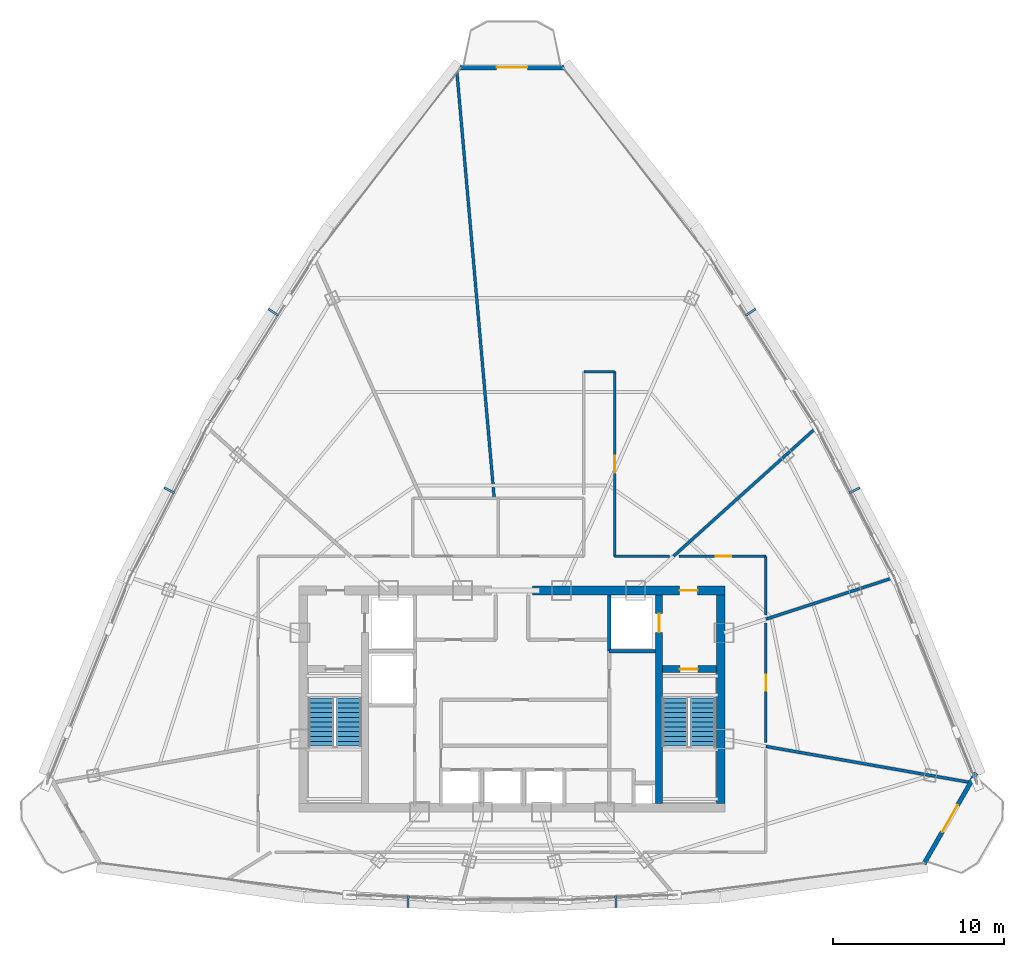
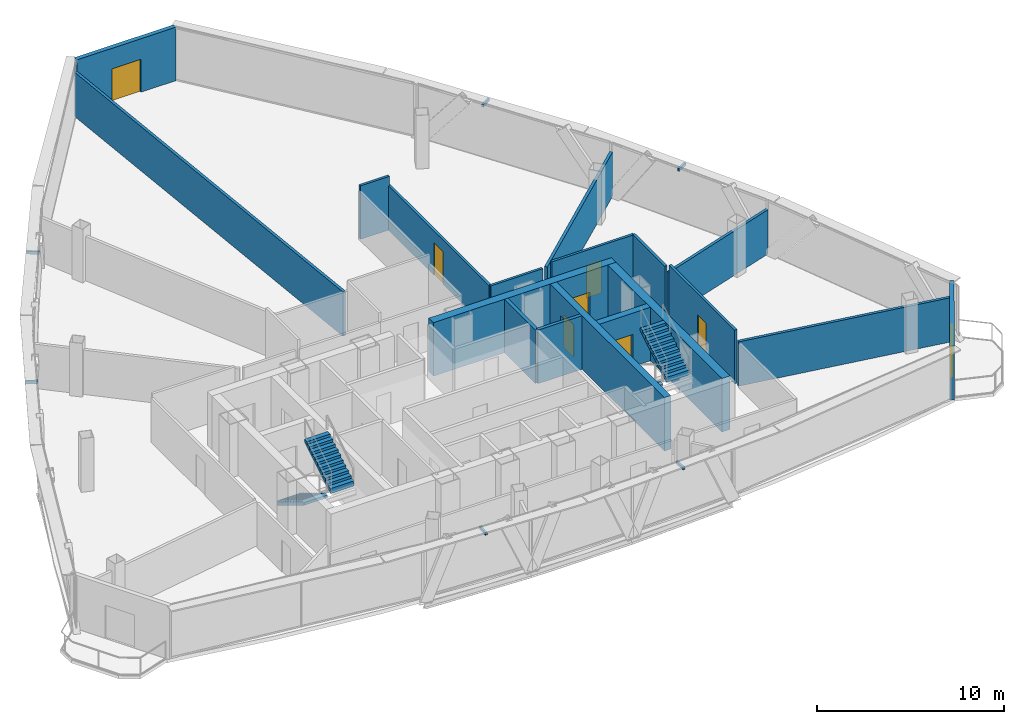
# One storey, part 27 of 30: 18 walls, 8 doors, 6 discrete accessories, 4 stair flights, 8 openings, 2 elements without a shape of their own.
"""IFC4 building model written with IfcOpenShell, lengths in metres."""

from ifc_helpers import new_model, si_unit, direction, frame, frame_2d, origin, origin_with_axes, origin_2d, place, context, subcontext, project, spatial, polyline, rectangle, outline, extrude, source, transform, mapped, material, layer, layer_set, type_object, element, fill, aggregate, save


model = new_model("IFC4")

# Units and contexts
model_context = context("Model", 3, precision=1e-05, world=origin(), true_north=direction((0.0, 1.0)))
body_context = subcontext(model_context, "Body", "Model", "MODEL_VIEW")
ifc_project = project(units=[si_unit("LENGTHUNIT", "METRE"), si_unit("AREAUNIT", "SQUARE_METRE"), si_unit("VOLUMEUNIT", "CUBIC_METRE"), si_unit("PLANEANGLEUNIT", "RADIAN"), si_unit("MASSUNIT", "GRAM", prefix="KILO"), si_unit("THERMODYNAMICTEMPERATUREUNIT", "KELVIN"), si_unit("POWERUNIT", "WATT")], contexts=[model_context])

# Site, building, storey
site_placement = place(None, origin())
site = spatial("IfcSite", under=ifc_project, at=site_placement, CompositionType="ELEMENT")
building_placement = place(site_placement, origin())
building = spatial("IfcBuilding", under=site, at=building_placement, Name="Yunzhuo Pagoda Commons", CompositionType="ELEMENT")
storey_placement = place(building_placement, frame((0.0, 0.0, 351.760009765625)))
storey = spatial("IfcBuildingStorey", under=building, at=storey_placement, Name="L88", CompositionType="ELEMENT", Elevation=351.760009765625)

# Wall, opening, door
ifc_material_1 = material(Name="Precast concrete C40", Category="concrete")
ifc_layer_1 = layer(ifc_material_1, 0.260009765625)
ifc_layer_set_1 = layer_set([ifc_layer_1], Name="Precast concrete C40")
wall_type_1 = type_object("IfcWallType", Name="W-BAL1 Corner Balcony Threshold Wall 260", PredefinedType="STANDARD", material=ifc_layer_set_1)
wall_1_placement = place(storey_placement, frame((72.085693359375, 24.211669921875, 0.0), z_axis=(0.0, 0.0, 1.0), x_axis=(0.49795859982, 0.867200803082, 0.0)))
wall_1 = element("IfcWall", 1, at=wall_1_placement, inside=storey, type_object=wall_type_1, Name="L88 corner balcony wall V2", PredefinedType="STANDARD", context=body_context, shape_type="SweptSolid", body=[
    extrude(rectangle(XDim=6.12255859375, YDim=0.260009765625, at=frame_2d((3.061279296875, 0.0))), origin(), (0.0, 0.0, 1.0), 3.489990234375),
])
opening_1_placement = place(wall_1_placement, frame((2.161376953125, 0.0, 0.0)))
opening_1 = element("IfcOpeningElement", 2, at=opening_1_placement, cuts=wall_1, Name="Opening D-BAL1", PredefinedType="OPENING", context=body_context, shape_type="SweptSolid", body=[
    extrude(rectangle(XDim=1.800048828125, YDim=2.14990234375, at=frame_2d((0.89990234375, 1.074951171875))), frame((0.0, 0.14013671875, 0.0), z_axis=(0.0, -1.0, 0.0), x_axis=(1.0, 0.0, 0.0)), (0.0, 0.0, 1.0), 0.280029296875),
])
ifc_material_2 = material(Name="Anodized aluminium frame and tempered glazed leaf", Category="aluminium")
door_type_1 = type_object("IfcDoorType", Name="D-BAL1 Corner Balcony Sliding Glazed Door 1800x2150", OperationType="DOUBLE_DOOR_SLIDING", PredefinedType="DOOR", material=ifc_material_2)
shared_shape_1 = source(origin(), body_context, "Body", "SweptSolid", [
    extrude(rectangle(XDim=1.800048828125, YDim=2.14990234375, at=frame_2d((0.89990234375, 1.074951171875))), frame((0.0, 0.02490234375, 0.0), z_axis=(0.0, -1.0, 0.0), x_axis=(1.0, 0.0, 0.0)), (0.0, 0.0, 1.0), 0.050048828125),
])
door_1_placement = place(opening_1_placement, origin_with_axes())
door_1 = element("IfcDoor", 3, at=door_1_placement, inside=storey, type_object=door_type_1, Name="L88 corner balcony sliding door V2", OperationType="DOUBLE_DOOR_SLIDING", OverallHeight=2.14990234375, OverallWidth=1.800048828125, PredefinedType="DOOR", context=body_context, shape_type="MappedRepresentation", body=[
    mapped(shared_shape_1, transform((0.0, 0.0, 0.0), scale=1.0)),
])
fill(opening_1, door_1)

wall_2_placement = place(storey_placement, frame((51.04931640625, 70.779052734375, 0.0), z_axis=(0.0, 0.0, 1.0), x_axis=(-1.0, 0.0, 0.0)))
wall_2 = element("IfcWall", 4, at=wall_2_placement, inside=storey, type_object=wall_type_1, Name="L88 corner balcony wall V3", PredefinedType="STANDARD", context=body_context, shape_type="SweptSolid", body=[
    extrude(rectangle(XDim=6.0986328125, YDim=0.260009765625, at=frame_2d((3.04931640625, 0.0))), origin(), (0.0, 0.0, 1.0), 3.489990234375),
])
opening_2_placement = place(wall_2_placement, frame((2.149169921875, 0.0, 0.0)))
opening_2 = element("IfcOpeningElement", 5, at=opening_2_placement, cuts=wall_2, Name="Opening D-BAL1", PredefinedType="OPENING", context=body_context, shape_type="SweptSolid", body=[
    extrude(rectangle(XDim=1.800048828125, YDim=2.14990234375, at=frame_2d((0.89990234375, 1.074951171875))), frame((0.0, 0.14013671875, 0.0), z_axis=(0.0, -1.0, 0.0), x_axis=(1.0, 0.0, 0.0)), (0.0, 0.0, 1.0), 0.280029296875),
])
door_2_placement = place(opening_2_placement, origin_with_axes())
door_2 = element("IfcDoor", 6, at=door_2_placement, inside=storey, type_object=door_type_1, Name="L88 corner balcony sliding door V3", OperationType="DOUBLE_DOOR_SLIDING", OverallHeight=2.14990234375, OverallWidth=1.800048828125, PredefinedType="DOOR", context=body_context, shape_type="MappedRepresentation", body=[
    mapped(shared_shape_1, transform((0.0, 0.0, 0.0), scale=1.0)),
])
fill(opening_2, door_2)

ifc_material_3 = material(Name="Concrete C50", Category="concrete")
ifc_layer_2 = layer(ifc_material_3, 0.5)
ifc_layer_set_2 = layer_set([ifc_layer_2], Name="Concrete C50")
wall_type_2 = type_object("IfcWallType", Name="W-C03 Upper Core Shear Wall 500", PredefinedType="SHEAR", material=ifc_layer_set_2)
wall_3_placement = place(storey_placement, frame((49.199951171875, 40.199951171875, 0.0), z_axis=(0.0, 0.0, 1.0), x_axis=(1.0, 0.0, 0.0)))
wall_3 = element("IfcWall", 7, at=wall_3_placement, inside=storey, type_object=wall_type_2, Name="L88 core shear wall NE", PredefinedType="SHEAR", context=body_context, shape_type="SweptSolid", body=[
    extrude(rectangle(XDim=11.25, YDim=0.5, at=frame_2d((5.625, 0.0))), origin(), (0.0, 0.0, 1.0), 3.489990234375),
])
opening_3_placement = place(wall_3_placement, frame((8.60009765625, 0.0, 0.0)))
opening_3 = element("IfcOpeningElement", 8, at=opening_3_placement, cuts=wall_3, Name="Opening D-02", PredefinedType="OPENING", context=body_context, shape_type="SweptSolid", body=[
    extrude(rectangle(XDim=1.050048828125, YDim=2.10009765625, at=frame_2d((0.52490234375, 1.050048828125))), frame((0.0, 0.260009765625, 0.0), z_axis=(0.0, -1.0, 0.0), x_axis=(1.0, 0.0, 0.0)), (0.0, 0.0, 1.0), 0.52001953125),
])
ifc_material_4 = material(Name="Galvanized fire-resisting metal leaf")
door_type_2 = type_object("IfcDoorType", Name="D-02 Firefighting Lobby & Refuge Fire Door 1050x2100", OperationType="NOTDEFINED", PredefinedType="DOOR", material=ifc_material_4)
shared_shape_2 = source(origin(), body_context, "Body", "SweptSolid", [
    extrude(rectangle(XDim=1.050048828125, YDim=2.10009765625, at=frame_2d((0.52490234375, 1.050048828125))), frame((0.0, 0.02490234375, 0.0), z_axis=(0.0, -1.0, 0.0), x_axis=(1.0, 0.0, 0.0)), (0.0, 0.0, 1.0), 0.050048828125),
])
door_3_placement = place(opening_3_placement, frame((1.050048828125, 0.0, 0.0), z_axis=(0.0, 0.0, 1.0), x_axis=(-1.0, 0.0, 0.0)))
door_3 = element("IfcDoor", 9, at=door_3_placement, inside=storey, type_object=door_type_2, Name="L88 Firefighting Lobby 2 fire door", OperationType="SINGLE_SWING_RIGHT", OverallHeight=2.10009765625, OverallWidth=1.050048828125, PredefinedType="DOOR", context=body_context, shape_type="MappedRepresentation", body=[
    mapped(shared_shape_2, transform((0.0, 0.0, 0.0), scale=1.0)),
])
fill(opening_3, door_3)

# Walls
wall_4_placement = place(storey_placement, frame((60.199951171875, 27.75, 0.0), z_axis=(0.0, 0.0, 1.0), x_axis=(0.0, 1.0, 0.0)))
element("IfcWall", 10, at=wall_4_placement, inside=storey, type_object=wall_type_2, Name="L88 core shear wall E", PredefinedType="SHEAR", context=body_context, shape_type="SweptSolid", body=[
    extrude(rectangle(XDim=12.199951171875, YDim=0.5, at=frame_2d((6.10009765625, 0.0))), origin(), (0.0, 0.0, 1.0), 3.489990234375),
])
ifc_material_5 = material(Name="Gypsum plasterboard on acoustic stud")
ifc_layer_3 = layer(ifc_material_5, 0.14990234375)
ifc_layer_set_3 = layer_set([ifc_layer_3], Name="Gypsum plasterboard on acoustic stud")
wall_type_3 = type_object("IfcWallType", Name="W-COR3 High-Zone Rated Corridor Wall 150", PredefinedType="PARTITIONING", material=ifc_layer_set_3)
wall_5_placement = place(storey_placement, frame((52.199951171875, 53.0, 0.0), z_axis=(0.0, 0.0, 1.0), x_axis=(1.0, 0.0, 0.0)))
element("IfcWall", 11, at=wall_5_placement, inside=storey, type_object=wall_type_3, Name="L88 interior wall IW-L88-CWL06", PredefinedType="PARTITIONING", context=body_context, shape_type="SweptSolid", body=[
    extrude(rectangle(XDim=1.800048828125, YDim=0.14990234375, at=frame_2d((0.89990234375, 0.0))), origin(), (0.0, 0.0, 1.0), 3.489990234375),
])

# Wall, opening, door
wall_6_placement = place(storey_placement, frame((54.0, 53.0, 0.0), z_axis=(0.0, 0.0, 1.0), x_axis=(0.0, -1.0, 0.0)))
wall_6 = element("IfcWall", 12, at=wall_6_placement, inside=storey, type_object=wall_type_3, Name="L88 interior wall IW-L88-CWL07", PredefinedType="PARTITIONING", context=body_context, shape_type="SweptSolid", body=[
    extrude(rectangle(XDim=10.800048828125, YDim=0.14990234375, at=frame_2d((5.39990234375, 0.0))), origin(), (0.0, 0.0, 1.0), 2.889892578125),
])
opening_4_placement = place(wall_6_placement, frame((4.925048828125, 0.0, 0.0)))
opening_4 = element("IfcOpeningElement", 13, at=opening_4_placement, cuts=wall_6, Name="Opening D-08", PredefinedType="OPENING", context=body_context, shape_type="SweptSolid", body=[
    extrude(rectangle(XDim=0.97998046875, YDim=2.1201171875, at=frame_2d((0.489990234375, 1.06005859375))), frame((0.0, 0.0849609375, 0.0), z_axis=(0.0, -1.0, 0.0), x_axis=(1.0, 0.0, 0.0)), (0.0, 0.0, 1.0), 0.169921875),
])
door_type_3 = type_object("IfcDoorType", Name="D-08 High-Zone Suite Entrance Fire Door 980x2120", OperationType="NOTDEFINED", PredefinedType="DOOR", material=ifc_material_4)
shared_shape_3 = source(origin(), body_context, "Body", "SweptSolid", [
    extrude(rectangle(XDim=0.97998046875, YDim=2.1201171875, at=frame_2d((0.489990234375, 1.06005859375))), frame((0.0, 0.02490234375, 0.0), z_axis=(0.0, -1.0, 0.0), x_axis=(1.0, 0.0, 0.0)), (0.0, 0.0, 1.0), 0.050048828125),
])
door_4_placement = place(opening_4_placement, origin_with_axes())
door_4 = element("IfcDoor", 14, at=door_4_placement, inside=storey, type_object=door_type_3, Name="L88 Shared Resident Kitchen and Pantry door", OperationType="SINGLE_SWING_LEFT", OverallHeight=2.1201171875, OverallWidth=0.97998046875, PredefinedType="DOOR", context=body_context, shape_type="MappedRepresentation", body=[
    mapped(shared_shape_3, transform((0.0, 0.0, 0.0), scale=1.0)),
])
fill(opening_4, door_4)

# Wall
wall_7_placement = place(storey_placement, frame((54.0, 42.199951171875, 0.0), z_axis=(0.0, 0.0, 1.0), x_axis=(1.0, 0.0, 0.0)))
element("IfcWall", 15, at=wall_7_placement, inside=storey, type_object=wall_type_3, Name="L88 interior wall IW-L88-CWL08", PredefinedType="PARTITIONING", context=body_context, shape_type="SweptSolid", body=[
    extrude(rectangle(XDim=3.220458984375, YDim=0.14990234375, at=frame_2d((1.6103515625, 0.0))), origin(), (0.0, 0.0, 1.0), 2.889892578125),
])

# Wall, opening, door
wall_8_placement = place(storey_placement, frame((57.76904296875, 42.199951171875, 0.0), z_axis=(0.0, 0.0, 1.0), x_axis=(1.0, 0.0, 0.0)))
wall_8 = element("IfcWall", 16, at=wall_8_placement, inside=storey, type_object=wall_type_3, Name="L88 interior wall IW-L88-CWL09", PredefinedType="PARTITIONING", context=body_context, shape_type="SweptSolid", body=[
    extrude(rectangle(XDim=5.0810546875, YDim=0.14990234375, at=frame_2d((2.54052734375, 0.0))), origin(), (0.0, 0.0, 1.0), 3.139892578125),
])
opening_5_placement = place(wall_8_placement, frame((2.14599609375, 0.0, 0.0)))
opening_5 = element("IfcOpeningElement", 17, at=opening_5_placement, cuts=wall_8, Name="Opening D-04", PredefinedType="OPENING", context=body_context, shape_type="SweptSolid", body=[
    extrude(rectangle(XDim=0.919921875, YDim=2.10009765625, at=frame_2d((0.4599609375, 1.050048828125))), frame((0.0, 0.0849609375, 0.0), z_axis=(0.0, -1.0, 0.0), x_axis=(1.0, 0.0, 0.0)), (0.0, 0.0, 1.0), 0.169921875),
])
ifc_material_6 = material(Name="Powder-coated aluminium and timber acoustic leaf", Category="wood")
door_type_4 = type_object("IfcDoorType", Name="D-04 Bedroom & Study Interior Door 920x2100", OperationType="NOTDEFINED", PredefinedType="DOOR", material=ifc_material_6)
shared_shape_4 = source(origin(), body_context, "Body", "SweptSolid", [
    extrude(rectangle(XDim=0.919921875, YDim=2.10009765625, at=frame_2d((0.4599609375, 1.050048828125))), frame((0.0, 0.02490234375, 0.0), z_axis=(0.0, -1.0, 0.0), x_axis=(1.0, 0.0, 0.0)), (0.0, 0.0, 1.0), 0.050048828125),
])
door_5_placement = place(opening_5_placement, origin_with_axes())
door_5 = element("IfcDoor", 18, at=door_5_placement, inside=storey, type_object=door_type_4, Name="L88 seminar room 02 door", OperationType="SINGLE_SWING_RIGHT", OverallHeight=2.10009765625, OverallWidth=0.919921875, PredefinedType="DOOR", context=body_context, shape_type="MappedRepresentation", body=[
    mapped(shared_shape_4, transform((0.0, 0.0, 0.0), scale=1.0)),
])
fill(opening_5, door_5)

# Wall
wall_9_placement = place(storey_placement, frame((62.85009765625, 42.199951171875, 0.0), z_axis=(0.0, 0.0, 1.0), x_axis=(0.0, -1.0, 0.0)))
element("IfcWall", 19, at=wall_9_placement, inside=storey, type_object=wall_type_3, Name="L88 interior wall IW-L88-CWL10", PredefinedType="PARTITIONING", context=body_context, shape_type="SweptSolid", body=[
    extrude(rectangle(XDim=3.443603515625, YDim=0.14990234375, at=frame_2d((1.7216796875, 0.0))), origin(), (0.0, 0.0, 1.0), 3.139892578125),
])

# Wall, opening, door
wall_10_placement = place(storey_placement, frame((62.85009765625, 38.305419921875, 0.0), z_axis=(0.0, 0.0, 1.0), x_axis=(0.0, -1.0, 0.0)))
wall_10 = element("IfcWall", 20, at=wall_10_placement, inside=storey, type_object=wall_type_3, Name="L88 interior wall IW-L88-CWL11", PredefinedType="PARTITIONING", context=body_context, shape_type="SweptSolid", body=[
    extrude(rectangle(XDim=7.004150390625, YDim=0.14990234375, at=frame_2d((3.501953125, 0.0))), origin(), (0.0, 0.0, 1.0), 3.489990234375),
])
opening_6_placement = place(wall_10_placement, frame((3.0419921875, 0.0, 0.0)))
opening_6 = element("IfcOpeningElement", 21, at=opening_6_placement, cuts=wall_10, Name="Opening D-04", PredefinedType="OPENING", context=body_context, shape_type="SweptSolid", body=[
    extrude(rectangle(XDim=0.919921875, YDim=2.10009765625, at=frame_2d((0.4599609375, 1.050048828125))), frame((0.0, 0.0849609375, 0.0), z_axis=(0.0, -1.0, 0.0), x_axis=(1.0, 0.0, 0.0)), (0.0, 0.0, 1.0), 0.169921875),
])
door_6_placement = place(opening_6_placement, origin_with_axes())
door_6 = element("IfcDoor", 22, at=door_6_placement, inside=storey, type_object=door_type_4, Name="L88 seminar room 01 door", OperationType="SINGLE_SWING_LEFT", OverallHeight=2.10009765625, OverallWidth=0.919921875, PredefinedType="DOOR", context=body_context, shape_type="MappedRepresentation", body=[
    mapped(shared_shape_4, transform((0.0, 0.0, 0.0), scale=1.0)),
])
fill(opening_6, door_6)

# Walls
ifc_layer_4 = layer(ifc_material_5, 0.169921875)
ifc_layer_set_4 = layer_set([ifc_layer_4], Name="Gypsum plasterboard on acoustic stud")
wall_type_4 = type_object("IfcWallType", Name="W-PRT4 High-Zone Demising Wall 170", PredefinedType="PARTITIONING", material=ifc_layer_set_4)
wall_11_placement = place(storey_placement, frame((62.85009765625, 38.525146484375, 0.0), z_axis=(0.0, 0.0, 1.0), x_axis=(0.951060216318, 0.309005606642, 0.0)))
element("IfcWall", 23, at=wall_11_placement, inside=storey, type_object=wall_type_4, Name="L88 interior wall IW-L88-RAD01", PredefinedType="PARTITIONING", context=body_context, shape_type="SweptSolid", body=[
    extrude(rectangle(XDim=7.889892578125, YDim=0.169921875, at=frame_2d((3.94482421875, 0.0))), origin(), (0.0, 0.0, 1.0), 2.889892578125),
])
wall_12_placement = place(storey_placement, frame((57.440185546875, 42.199951171875, 0.0), z_axis=(0.0, 0.0, 1.0), x_axis=(0.74314133574, 0.669134482085, 0.0)))
element("IfcWall", 24, at=wall_12_placement, inside=storey, type_object=wall_type_4, Name="L88 interior wall IW-L88-RAD02", PredefinedType="PARTITIONING", context=body_context, shape_type="SweptSolid", body=[
    extrude(rectangle(XDim=11.2822265625, YDim=0.169921875, at=frame_2d((5.64111328125, 0.0))), origin(), (0.0, 0.0, 1.0), 2.889892578125),
])
wall_13_placement = place(storey_placement, frame((46.958984375, 45.60009765625, 0.0), z_axis=(0.0, 0.0, 1.0), x_axis=(-0.087155434332, 0.996194725075, 0.0)))
element("IfcWall", 25, at=wall_13_placement, inside=storey, type_object=wall_type_4, Name="L88 interior wall IW-L88-RAD03", PredefinedType="PARTITIONING", context=body_context, shape_type="SweptSolid", body=[
    extrude(rectangle(XDim=24.98388671875, YDim=0.169921875, at=frame_2d((12.491943359375, 0.0))), origin(), (0.0, 0.0, 1.0), 2.889892578125),
])
wall_14_placement = place(storey_placement, frame((62.85009765625, 31.08154296875, 0.0), z_axis=(0.0, 0.0, 1.0), x_axis=(0.984808019511, -0.173646666272, 0.0)))
element("IfcWall", 26, at=wall_14_placement, inside=storey, type_object=wall_type_4, Name="L88 interior wall IW-L88-RAD10", PredefinedType="PARTITIONING", context=body_context, shape_type="SweptSolid", body=[
    extrude(rectangle(XDim=12.153076171875, YDim=0.169921875, at=frame_2d((6.07666015625, 0.0))), origin(), (0.0, 0.0, 1.0), 2.889892578125),
])

# Wall, opening, door
ifc_material_7 = material(Name="Concrete C60", Category="concrete")
ifc_layer_5 = layer(ifc_material_7, 0.39990234375)
ifc_layer_set_5 = layer_set([ifc_layer_5], Name="Concrete C60")
wall_type_5 = type_object("IfcWallType", Name="W-S01 Internal Core Shear Web 400", PredefinedType="SHEAR", material=ifc_layer_set_5)
wall_15_placement = place(storey_placement, frame((56.60009765625, 27.75, 0.0), z_axis=(0.0, 0.0, 1.0), x_axis=(0.0, 1.0, 0.0)))
wall_15 = element("IfcWall", 27, at=wall_15_placement, inside=storey, type_object=wall_type_5, Name="L88 core shear wall WEBE", PredefinedType="SHEAR", context=body_context, shape_type="SweptSolid", body=[
    extrude(rectangle(XDim=12.199951171875, YDim=0.39990234375, at=frame_2d((6.10009765625, 0.0))), origin(), (0.0, 0.0, 1.0), 3.489990234375),
])
opening_7_placement = place(wall_15_placement, frame((10.0, 0.0, 0.0)))
opening_7 = element("IfcOpeningElement", 28, at=opening_7_placement, cuts=wall_15, Name="Opening LD-01", PredefinedType="OPENING", context=body_context, shape_type="SweptSolid", body=[
    extrude(rectangle(XDim=1.10009765625, YDim=2.10009765625, at=frame_2d((0.550048828125, 1.050048828125))), frame((0.0, 0.2099609375, 0.0), z_axis=(0.0, -1.0, 0.0), x_axis=(1.0, 0.0, 0.0)), (0.0, 0.0, 1.0), 0.419921875),
])
door_type_5 = type_object("IfcDoorType", Name="LD-01 Firefighting Lift Landing Door 1100x2100", OperationType="DOUBLE_DOOR_SLIDING", PredefinedType="DOOR", material=ifc_material_4)
shared_shape_5 = source(origin(), body_context, "Body", "SweptSolid", [
    extrude(rectangle(XDim=1.10009765625, YDim=2.10009765625, at=frame_2d((0.550048828125, 1.050048828125))), frame((0.0, 0.02490234375, 0.0), z_axis=(0.0, -1.0, 0.0), x_axis=(1.0, 0.0, 0.0)), (0.0, 0.0, 1.0), 0.050048828125),
])
door_7_placement = place(opening_7_placement, origin_with_axes())
door_7 = element("IfcDoor", 29, at=door_7_placement, inside=storey, type_object=door_type_5, Name="L88 Firefighting lift FL-2 landing door", OperationType="DOUBLE_DOOR_SLIDING", OverallHeight=2.10009765625, OverallWidth=1.10009765625, PredefinedType="DOOR", context=body_context, shape_type="MappedRepresentation", body=[
    mapped(shared_shape_5, transform((0.0, 0.0, 0.0), scale=1.0)),
])
fill(opening_7, door_7)

wall_16_placement = place(storey_placement, frame((56.800048828125, 35.60009765625, 0.0), z_axis=(0.0, 0.0, 1.0), x_axis=(1.0, 0.0, 0.0)))
wall_16 = element("IfcWall", 30, at=wall_16_placement, inside=storey, type_object=wall_type_5, Name="L88 core shear wall STE", PredefinedType="SHEAR", context=body_context, shape_type="SweptSolid", body=[
    extrude(rectangle(XDim=3.14990234375, YDim=0.39990234375, at=frame_2d((1.574951171875, 0.0))), origin(), (0.0, 0.0, 1.0), 3.489990234375),
])
opening_8_placement = place(wall_16_placement, frame((1.02001953125, 0.0, 0.0)))
opening_8 = element("IfcOpeningElement", 31, at=opening_8_placement, cuts=wall_16, Name="Opening D-01", PredefinedType="OPENING", context=body_context, shape_type="SweptSolid", body=[
    extrude(rectangle(XDim=1.050048828125, YDim=2.10009765625, at=frame_2d((0.52490234375, 1.050048828125))), frame((0.0, 0.2099609375, 0.0), z_axis=(0.0, -1.0, 0.0), x_axis=(1.0, 0.0, 0.0)), (0.0, 0.0, 1.0), 0.419921875),
])
door_type_6 = type_object("IfcDoorType", Name="D-01 Smokeproof Stair Fire Door 1050x2100", OperationType="NOTDEFINED", PredefinedType="DOOR", material=ifc_material_4)
door_8_placement = place(opening_8_placement, frame((1.050048828125, 0.0, 0.0), z_axis=(0.0, 0.0, 1.0), x_axis=(-1.0, 0.0, 0.0)))
door_8 = element("IfcDoor", 32, at=door_8_placement, inside=storey, type_object=door_type_6, Name="L88 Stair ST2 fire door", OperationType="SINGLE_SWING_RIGHT", OverallHeight=2.10009765625, OverallWidth=1.050048828125, PredefinedType="DOOR", context=body_context, shape_type="MappedRepresentation", body=[
    mapped(shared_shape_2, transform((0.0, 0.0, 0.0), scale=1.0)),
])
fill(opening_8, door_8)

# Walls
ifc_material_8 = material(Name="Concrete C40", Category="concrete")
ifc_layer_6 = layer(ifc_material_8, 0.199951171875)
ifc_layer_set_6 = layer_set([ifc_layer_6], Name="Concrete C40")
wall_type_6 = type_object("IfcWallType", Name="W-SHF Shaft & Stair Enclosure Wall 200", PredefinedType="SOLIDWALL", material=ifc_layer_set_6)
wall_17_placement = place(storey_placement, frame((53.679931640625, 36.64990234375, 0.0), z_axis=(0.0, 0.0, 1.0), x_axis=(0.0, 1.0, 0.0)))
element("IfcWall", 33, at=wall_17_placement, inside=storey, type_object=wall_type_6, Name="L88 interior wall IW-L88-FL2W", PredefinedType="SOLIDWALL", context=body_context, shape_type="SweptSolid", body=[
    extrude(rectangle(XDim=3.300048828125, YDim=0.199951171875, at=frame_2d((1.64990234375, 0.0))), origin(), (0.0, 0.0, 1.0), 3.489990234375),
])
wall_18_placement = place(storey_placement, frame((53.679931640625, 36.64990234375, 0.0), z_axis=(0.0, 0.0, 1.0), x_axis=(1.0, 0.0, 0.0)))
element("IfcWall", 34, at=wall_18_placement, inside=storey, type_object=wall_type_6, Name="L88 interior wall IW-L88-FL2S", PredefinedType="SOLIDWALL", context=body_context, shape_type="SweptSolid", body=[
    extrude(rectangle(XDim=2.719970703125, YDim=0.199951171875, at=frame_2d((1.35986328125, 0.0))), origin(), (0.0, 0.0, 1.0), 3.489990234375),
])

# Stair, stair flights
stair_type_1 = type_object("IfcStairType", Name="ST-C1 Core Smokeproof Stair ST1", PredefinedType="HALF_TURN_STAIR", material=ifc_material_8)
stair_1_placement = place(storey_placement, origin())
stair_1 = element("IfcStair", 35, at=stair_1_placement, inside=storey, type_object=stair_type_1, Name="L88 Core smokeproof stair ST1", PredefinedType="HALF_TURN_STAIR")
stair_flight_type_1 = type_object("IfcStairFlightType", Name="STF-C1 Core Stair Flight 1450", PredefinedType="STRAIGHT", material=ifc_material_8)
shared_shape_6 = source(origin(), body_context, "Body", "SweptSolid", [
    extrude(outline(polyline([(0.0, -0.14990234375), (0.0, 0.0), (0.0, 0.17041015625), (0.280029296875, 0.17041015625), (0.280029296875, 0.3408203125), (0.56005859375, 0.3408203125), (0.56005859375, 0.511474609375), (0.840087890625, 0.511474609375), (0.840087890625, 0.681884765625), (1.1201171875, 0.681884765625), (1.1201171875, 0.852294921875), (1.39990234375, 0.852294921875), (1.39990234375, 1.022705078125), (1.679931640625, 1.022705078125), (1.679931640625, 1.193115234375), (1.9599609375, 1.193115234375), (1.9599609375, 1.363525390625), (2.239990234375, 1.363525390625), (2.239990234375, 1.5341796875), (2.52001953125, 1.5341796875), (2.52001953125, 1.70458984375), (2.800048828125, 1.70458984375), (2.800048828125, 1.875), (2.800048828125, 1.529052734375), (0.288330078125, 0.0), (0.050048828125, -0.14990234375), (0.0, -0.14990234375)])), frame((0.0, 0.72509765625, 0.0), z_axis=(0.0, -1.0, 0.0), x_axis=(1.0, 0.0, 0.0)), (0.0, 0.0, 1.0), 1.449951171875),
])
stair_flight_1_placement = place(storey_placement, frame((36.824951171875, 33.89990234375, 0.0), z_axis=(0.0, 0.0, 1.0), x_axis=(0.0, -1.0, 0.0)))
stair_flight_1 = element("IfcStairFlight", 36, at=stair_flight_1_placement, type_object=stair_flight_type_1, Name="ST1 flight 1", NumberOfRisers=11, NumberOfTreads=10, PredefinedType="STRAIGHT", RiserHeight=0.170454545, TreadLength=0.28, context=body_context, shape_type="MappedRepresentation", body=[
    mapped(shared_shape_6, transform((0.0, 0.0, 0.0), scale=1.0)),
])
stair_flight_2_placement = place(storey_placement, frame((38.47509765625, 31.10009765625, 1.875), z_axis=(0.0, 0.0, 1.0), x_axis=(0.0, 1.0, 0.0)))
stair_flight_2 = element("IfcStairFlight", 37, at=stair_flight_2_placement, type_object=stair_flight_type_1, Name="ST1 flight 2", NumberOfRisers=11, NumberOfTreads=10, PredefinedType="STRAIGHT", RiserHeight=0.170454545, TreadLength=0.28, context=body_context, shape_type="MappedRepresentation", body=[
    mapped(shared_shape_6, transform((0.0, 0.0, 0.0), scale=1.0)),
])
aggregate(stair_1, [stair_flight_1, stair_flight_2])

stair_type_2 = type_object("IfcStairType", Name="ST-C2 Core Smokeproof Stair ST2", PredefinedType="HALF_TURN_STAIR", material=ifc_material_8)
stair_2_placement = place(storey_placement, origin())
stair_2 = element("IfcStair", 38, at=stair_2_placement, inside=storey, type_object=stair_type_2, Name="L88 Core smokeproof stair ST2", PredefinedType="HALF_TURN_STAIR")
stair_flight_type_2 = type_object("IfcStairFlightType", Name="STF-C2 Core Stair Flight 1460", PredefinedType="STRAIGHT", material=ifc_material_8)
stair_flight_3_placement = place(storey_placement, frame((57.52490234375, 33.89990234375, 0.0), z_axis=(0.0, 0.0, 1.0), x_axis=(0.0, -1.0, 0.0)))
stair_flight_3 = element("IfcStairFlight", 39, at=stair_flight_3_placement, type_object=stair_flight_type_2, Name="ST2 flight 1", NumberOfRisers=11, NumberOfTreads=10, PredefinedType="STRAIGHT", RiserHeight=0.170454545, TreadLength=0.28, context=body_context, shape_type="MappedRepresentation", body=[
    mapped(shared_shape_6, transform((0.0, 0.0, 0.0), scale=1.0)),
])
stair_flight_4_placement = place(storey_placement, frame((59.175048828125, 31.10009765625, 1.875), z_axis=(0.0, 0.0, 1.0), x_axis=(0.0, 1.0, 0.0)))
stair_flight_4 = element("IfcStairFlight", 40, at=stair_flight_4_placement, type_object=stair_flight_type_2, Name="ST2 flight 2", NumberOfRisers=11, NumberOfTreads=10, PredefinedType="STRAIGHT", RiserHeight=0.170454545, TreadLength=0.28, context=body_context, shape_type="MappedRepresentation", body=[
    mapped(shared_shape_6, transform((0.0, 0.0, 0.0), scale=1.0)),
])
aggregate(stair_2, [stair_flight_3, stair_flight_4])

# Discrete accessories
ifc_material_9 = material(Name="Anodized aluminium 6063-T6", Category="aluminium")
discrete_accessory_type = type_object("IfcDiscreteAccessoryType", Name="BK-SUN1 Sunshade Outrigger Bracket", PredefinedType="BRACKET", material=ifc_material_9)
shared_shape_7 = source(origin(), body_context, "Body", "SweptSolid", [
    extrude(rectangle(XDim=0.1201171875, YDim=0.679931640625, at=origin_2d()), origin(), (0.0, 0.0, 1.0), 0.179931640625),
])
for number, where, z_axis, x_axis, name in (
    (41, (41.922119140625, 22.01025390625, 3.27978515625), (0.0, 0.0, 1.0), (0.998818891953, -0.048588281289, 0.0), "L88 sunshade outrigger bracket F1.2"),
    (42, (54.077880859375, 22.01025390625, 3.27978515625), (0.0, 0.0, 1.0), (0.998818891953, 0.048588281289, 0.0), "L88 sunshade outrigger bracket F1.3"),
    (43, (68.03271484375, 46.05419921875, 3.27978515625), (0.0, 0.0, 1.0), (-0.461191196783, 0.88730078328, 0.0), "L88 sunshade outrigger bracket F2.2"),
    (44, (61.954345703125, 56.466796875, 3.27978515625), (0.0, 0.0, 1.0), (-0.545853380833, 0.837880711458, 0.0), "L88 sunshade outrigger bracket F2.3"),
    (45, (34.045654296875, 56.466796875, 3.27978515625), (0.0, 0.0, 1.0), (-0.545853380833, -0.837880711458, 0.0), "L88 sunshade outrigger bracket F3.2"),
    (46, (27.96728515625, 46.05419921875, 3.27978515625), (0.0, 0.0, 1.0), (-0.461191196783, -0.88730078328, 0.0), "L88 sunshade outrigger bracket F3.3"),
):
    element("IfcDiscreteAccessory", number, at=place(storey_placement, frame(where, z_axis=z_axis, x_axis=x_axis)), inside=storey, type_object=discrete_accessory_type, Name=name, PredefinedType="BRACKET", context=body_context, shape_type="MappedRepresentation", body=[
        mapped(shared_shape_7, transform((0.0, 0.0, 0.0), scale=1.0)),
    ])

save(model, "model.ifc")
